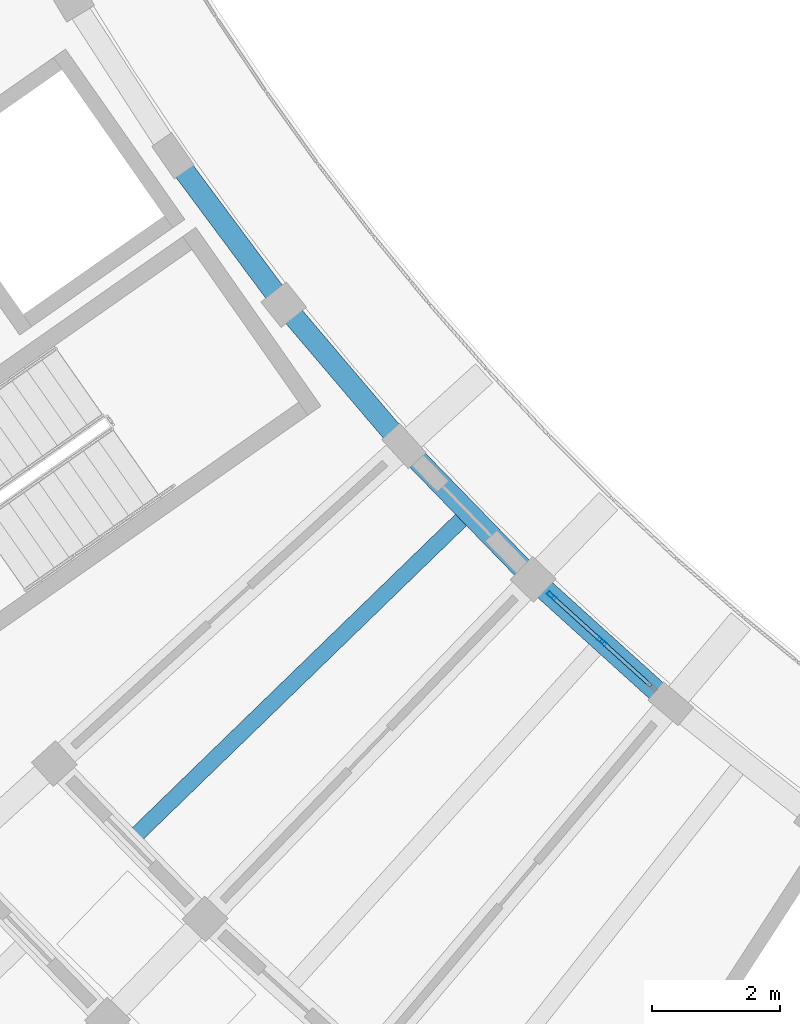
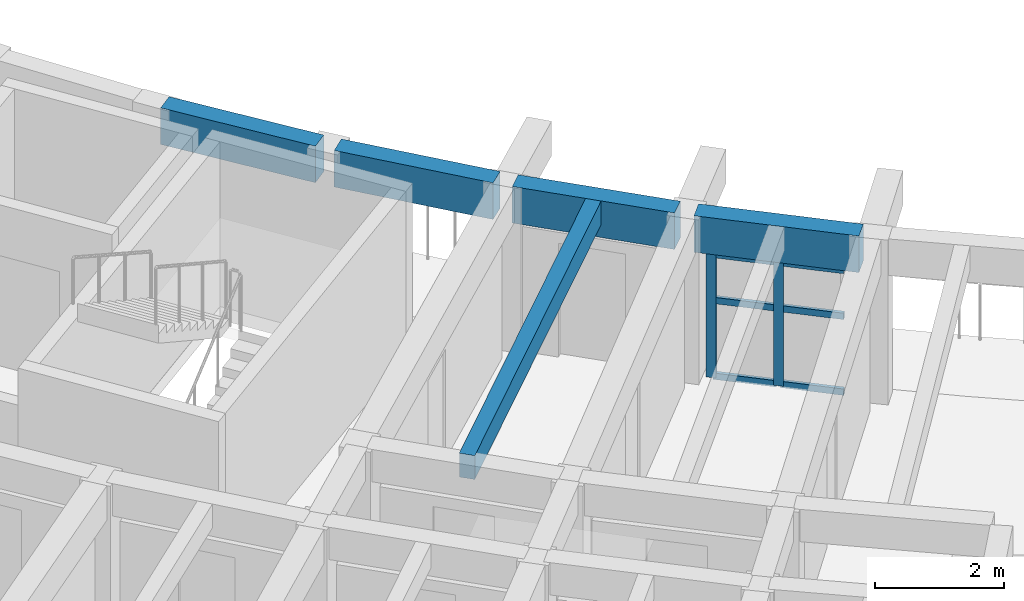
# One storey, part 7 of 83: 8 members, 5 beams, 1 element without a shape of its own.
"""IFC4 building model written with IfcOpenShell, lengths in metres."""

from ifc_helpers import new_model, si_unit, direction, frame, origin, origin_2d, place, context, subcontext, project, spatial, rectangle, hollow_rectangle, extrude, material, material_profile, profile_set, type_object, element, aggregate, save


model = new_model("IFC4")

# Units and contexts
model_context = context("Model", 3, precision=1e-05, world=origin(), true_north=direction((0.0, 1.0)))
body_context = subcontext(model_context, "Body", "Model", "MODEL_VIEW")
ifc_project = project(units=[si_unit("LENGTHUNIT", "METRE"), si_unit("AREAUNIT", "SQUARE_METRE"), si_unit("VOLUMEUNIT", "CUBIC_METRE"), si_unit("PLANEANGLEUNIT", "RADIAN"), si_unit("MASSUNIT", "GRAM", prefix="KILO")], contexts=[model_context])

# Site, building, storey
site_placement = place(None, origin())
site = spatial("IfcSite", under=ifc_project, at=site_placement, CompositionType="ELEMENT")
building_placement = place(site_placement, origin())
building = spatial("IfcBuilding", under=site, at=building_placement, Name="Tanwirah Colonnade Gardens", CompositionType="ELEMENT")
storey_placement = place(building_placement, frame((0.0, 0.0, 25.639892578125)))
storey = spatial("IfcBuildingStorey", under=building, at=storey_placement, Name="L07", CompositionType="ELEMENT", Elevation=25.639892578125)

# Curtain wall, members
ifc_material_1 = material(Name="Bronze-anodised aluminium and solar-control low-E glass", Category="aluminium")
curtain_wall_type = type_object("IfcCurtainWallType", Name="CW-GDN", PredefinedType="NOTDEFINED", material=ifc_material_1)
curtain_wall_placement = place(storey_placement, origin())
curtain_wall = element("IfcCurtainWall", 1, at=curtain_wall_placement, inside=storey, type_object=curtain_wall_type, Name="Curtain Wall CW-C-L07-IN-08", PredefinedType="NOTDEFINED")
ifc_material_2 = material(Name="Bronze-anodised aluminium", Category="aluminium")
ifc_material_profile_1 = material_profile(ifc_material_2, hollow_rectangle(XDim=0.06005859375, YDim=0.159912109375, WallThickness=0.00390625, at=origin_2d()), Name="CW-MUL 60x160x4")
ifc_profile_set_1 = profile_set([ifc_material_profile_1], Name="Bronze-anodised aluminium")
member_type_1 = type_object("IfcMemberType", Name="CWM-60x160", PredefinedType="MULLION", material=ifc_profile_set_1)
member_1_placement = place(storey_placement, frame((34.41162109375, 32.263671875, 0.0), z_axis=(0.0, 0.0, 1.0), x_axis=(0.670750964954, 0.741682643058, 0.0)))
member_1 = element("IfcMember", 2, at=member_1_placement, type_object=member_type_1, Name="CW-GDN mullion 1", PredefinedType="MULLION", context=body_context, shape_type="SweptSolid", body=[
    extrude(hollow_rectangle(XDim=0.06005859375, YDim=0.159912109375, WallThickness=0.00390625, at=origin_2d()), origin(), (0.0, 0.0, 1.0), 2.355224609375),
])
member_2_placement = place(storey_placement, frame((35.201171875, 31.5498046875, 0.0), z_axis=(0.0, 0.0, 1.0), x_axis=(0.670750964954, 0.741682643058, 0.0)))
member_2 = element("IfcMember", 3, at=member_2_placement, type_object=member_type_1, Name="CW-GDN mullion 2", PredefinedType="MULLION", context=body_context, shape_type="SweptSolid", body=[
    extrude(hollow_rectangle(XDim=0.06005859375, YDim=0.159912109375, WallThickness=0.00390625, at=origin_2d()), origin(), (0.0, 0.0, 1.0), 2.355224609375),
])
ifc_material_profile_2 = material_profile(ifc_material_2, hollow_rectangle(XDim=0.06005859375, YDim=0.1201171875, WallThickness=0.00390625, at=origin_2d()), Name="CW-TRN 60x120x4")
ifc_profile_set_2 = profile_set([ifc_material_profile_2], Name="Bronze-anodised aluminium")
member_type_2 = type_object("IfcMemberType", Name="CWT-60x120", PredefinedType="USERDEFINED", material=ifc_profile_set_2)
member_3_placement = place(storey_placement, frame((34.433837890625, 32.24365234375, 0.030029296875), z_axis=(0.741817868758, -0.67060140888, 0.0), x_axis=(0.67060140888, 0.741817868758, 0.0)))
member_3 = element("IfcMember", 4, at=member_3_placement, type_object=member_type_2, Name="CW-GDN transom 1.1", ObjectType="TRANSOM", PredefinedType="USERDEFINED", context=body_context, shape_type="SweptSolid", body=[
    extrude(hollow_rectangle(XDim=0.06005859375, YDim=0.1201171875, WallThickness=0.00390625, at=origin_2d()), origin(), (0.0, 0.0, 1.0), 1.00439453125),
])
member_4_placement = place(storey_placement, frame((34.433837890625, 32.24365234375, 1.460205078125), z_axis=(0.741817868758, -0.67060140888, 0.0), x_axis=(0.67060140888, 0.741817868758, 0.0)))
member_4 = element("IfcMember", 5, at=member_4_placement, type_object=member_type_2, Name="CW-GDN transom 1.2", ObjectType="TRANSOM", PredefinedType="USERDEFINED", context=body_context, shape_type="SweptSolid", body=[
    extrude(hollow_rectangle(XDim=0.06005859375, YDim=0.1201171875, WallThickness=0.00390625, at=origin_2d()), origin(), (0.0, 0.0, 1.0), 1.00439453125),
])
member_5_placement = place(storey_placement, frame((34.433837890625, 32.24365234375, 2.3251953125), z_axis=(0.741817868758, -0.67060140888, 0.0), x_axis=(0.67060140888, 0.741817868758, 0.0)))
member_5 = element("IfcMember", 6, at=member_5_placement, type_object=member_type_2, Name="CW-GDN transom 1.3", ObjectType="TRANSOM", PredefinedType="USERDEFINED", context=body_context, shape_type="SweptSolid", body=[
    extrude(hollow_rectangle(XDim=0.06005859375, YDim=0.1201171875, WallThickness=0.00390625, at=origin_2d()), origin(), (0.0, 0.0, 1.0), 1.00439453125),
])
member_6_placement = place(storey_placement, frame((35.223388671875, 31.52978515625, 0.030029296875), z_axis=(0.741587602232, -0.67085604135, 0.0), x_axis=(0.67085604135, 0.741587602232, 0.0)))
member_6 = element("IfcMember", 7, at=member_6_placement, type_object=member_type_2, Name="CW-GDN transom 2.1", ObjectType="TRANSOM", PredefinedType="USERDEFINED", context=body_context, shape_type="SweptSolid", body=[
    extrude(hollow_rectangle(XDim=0.06005859375, YDim=0.1201171875, WallThickness=0.00390625, at=origin_2d()), origin(), (0.0, 0.0, 1.0), 1.00439453125),
])
member_7_placement = place(storey_placement, frame((35.223388671875, 31.52978515625, 1.460205078125), z_axis=(0.741587602232, -0.67085604135, 0.0), x_axis=(0.67085604135, 0.741587602232, 0.0)))
member_7 = element("IfcMember", 8, at=member_7_placement, type_object=member_type_2, Name="CW-GDN transom 2.2", ObjectType="TRANSOM", PredefinedType="USERDEFINED", context=body_context, shape_type="SweptSolid", body=[
    extrude(hollow_rectangle(XDim=0.06005859375, YDim=0.1201171875, WallThickness=0.00390625, at=origin_2d()), origin(), (0.0, 0.0, 1.0), 1.00439453125),
])
member_8_placement = place(storey_placement, frame((35.223388671875, 31.52978515625, 2.3251953125), z_axis=(0.741587602232, -0.67085604135, 0.0), x_axis=(0.67085604135, 0.741587602232, 0.0)))
member_8 = element("IfcMember", 9, at=member_8_placement, type_object=member_type_2, Name="CW-GDN transom 2.3", ObjectType="TRANSOM", PredefinedType="USERDEFINED", context=body_context, shape_type="SweptSolid", body=[
    extrude(hollow_rectangle(XDim=0.06005859375, YDim=0.1201171875, WallThickness=0.00390625, at=origin_2d()), origin(), (0.0, 0.0, 1.0), 1.00439453125),
])
aggregate(curtain_wall, [member_1, member_2, member_3, member_4, member_5, member_6, member_7, member_8])

# Beams
ifc_material_3 = material(Name="Precast concrete C40/50", Category="concrete")
ifc_material_profile_3 = material_profile(ifc_material_3, rectangle(XDim=0.25, YDim=0.449951171875, at=origin_2d()), Name="PC-JST 250x450")
ifc_profile_set_3 = profile_set([ifc_material_profile_3], Name="Precast concrete C40/50")
beam_type_1 = type_object("IfcBeamType", Name="JST-PC250", PredefinedType="JOIST", material=ifc_profile_set_3)
beam_1_placement = place(storey_placement, frame((33.006591796875, 33.46923828125, 2.885009765625), z_axis=(-0.717816218075, -0.69623263143, 0.0), x_axis=(0.69623263143, -0.717816218075, 0.0)))
element("IfcBeam", 10, at=beam_1_placement, inside=storey, type_object=beam_type_1, Name="Block C L07 Inner Precast Floor Joist 7", PredefinedType="JOIST", context=body_context, shape_type="SweptSolid", body=[
    extrude(rectangle(XDim=0.25, YDim=0.449951171875, at=origin_2d()), origin(), (0.0, 0.0, 1.0), 7.16015625),
])
ifc_material_profile_4 = material_profile(ifc_material_3, rectangle(XDim=0.330078125, YDim=0.68994140625, at=origin_2d()), Name="PC-SP 330x690")
ifc_profile_set_4 = profile_set([ifc_material_profile_4], Name="Precast concrete C40/50")
beam_type_2 = type_object("IfcBeamType", Name="SP-PC280", PredefinedType="SPANDREL", material=ifc_profile_set_4)
beam_2_placement = place(storey_placement, frame((28.5673828125, 39.043212890625, 2.76513671875), z_axis=(0.596565220249, -0.802564600508, 0.0), x_axis=(0.802564600508, 0.596565220249, 0.0)))
element("IfcBeam", 11, at=beam_2_placement, inside=storey, type_object=beam_type_2, Name="Block C L07 Circumferential Beam 5-R0", PredefinedType="SPANDREL", context=body_context, shape_type="SweptSolid", body=[
    extrude(rectangle(XDim=0.330078125, YDim=0.68994140625, at=origin_2d()), origin(), (0.0, 0.0, 1.0), 2.6083984375),
])
beam_3_placement = place(storey_placement, frame((30.310302734375, 36.71484375, 2.76513671875), z_axis=(0.647811402053, -0.761800753065, 0.0), x_axis=(0.761800753065, 0.647811402053, 0.0)))
element("IfcBeam", 12, at=beam_3_placement, inside=storey, type_object=beam_type_2, Name="Block C L07 Circumferential Beam 6-R0", PredefinedType="SPANDREL", context=body_context, shape_type="SweptSolid", body=[
    extrude(rectangle(XDim=0.330078125, YDim=0.68994140625, at=origin_2d()), origin(), (0.0, 0.0, 1.0), 2.608642578125),
])
beam_4_placement = place(storey_placement, frame((32.20166015625, 34.505615234375, 2.76513671875), z_axis=(0.696262751108, -0.717787002822, 0.0), x_axis=(0.717787002822, 0.696262751108, 0.0)))
element("IfcBeam", 13, at=beam_4_placement, inside=storey, type_object=beam_type_2, Name="Block C L07 Circumferential Beam 7-R0", PredefinedType="SPANDREL", context=body_context, shape_type="SweptSolid", body=[
    extrude(rectangle(XDim=0.330078125, YDim=0.68994140625, at=origin_2d()), origin(), (0.0, 0.0, 1.0), 2.60888671875),
])
beam_5_placement = place(storey_placement, frame((34.233642578125, 32.4248046875, 2.76513671875), z_axis=(0.741686528432, -0.670746668678, 0.0), x_axis=(0.670746668678, 0.741686528432, 0.0)))
element("IfcBeam", 14, at=beam_5_placement, inside=storey, type_object=beam_type_2, Name="Block C L07 Circumferential Beam 8-R0", PredefinedType="SPANDREL", context=body_context, shape_type="SweptSolid", body=[
    extrude(rectangle(XDim=0.330078125, YDim=0.68994140625, at=origin_2d()), origin(), (0.0, 0.0, 1.0), 2.608642578125),
])

save(model, "model.ifc")
